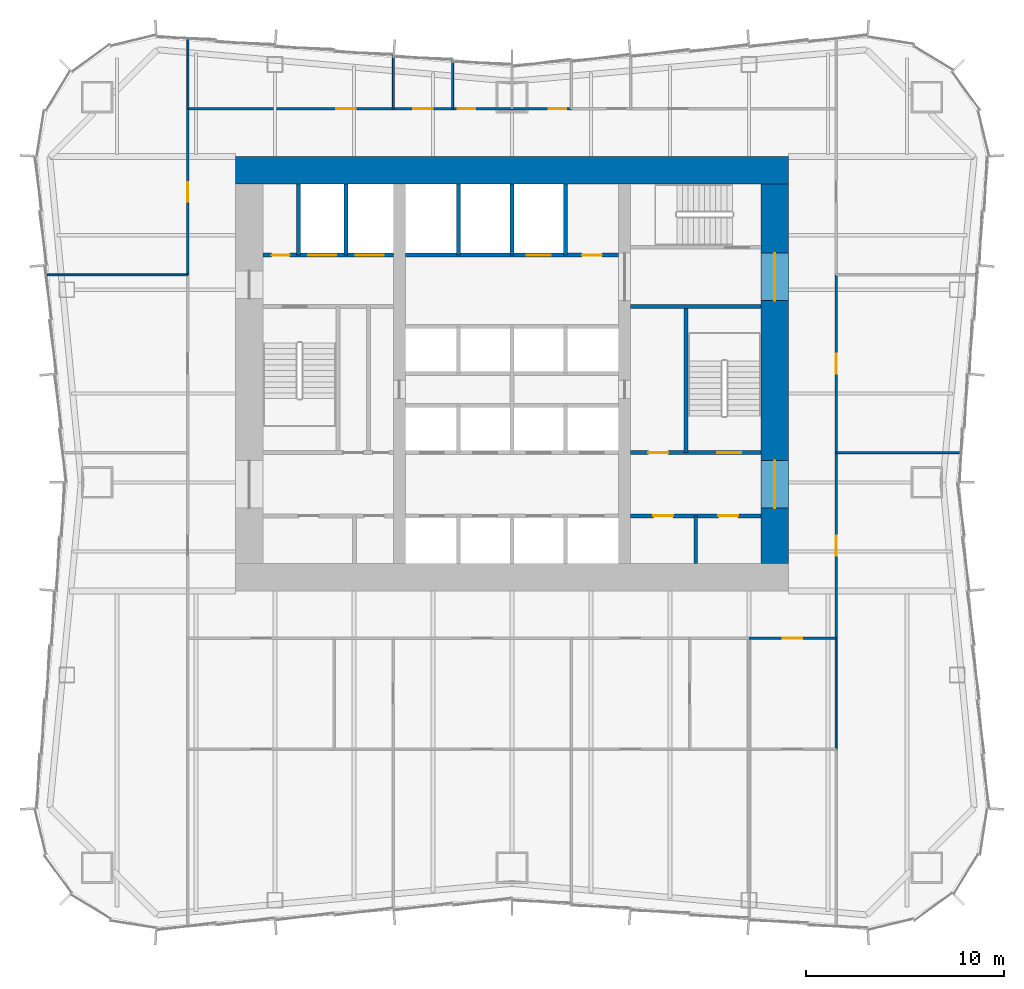
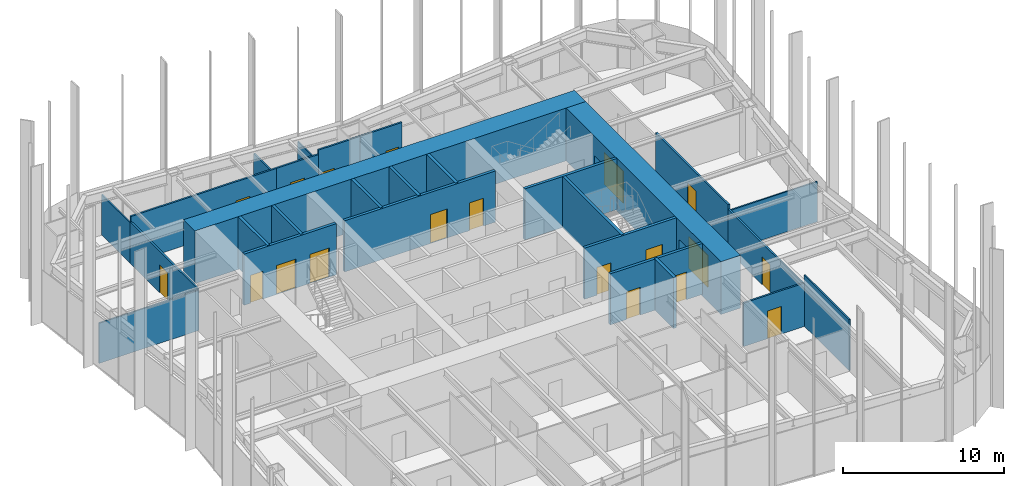
# One storey, part 11 of 13: 28 walls, 19 doors, 19 openings.
"""IFC4 building model written with IfcOpenShell, lengths in metres."""

import ifcopenshell
import ifcopenshell.guid

model = None  # the IFC model being written
_history = None  # IfcOwnerHistory: only IFC2X3 demands one
_inside = {}  # id of a spatial element -> (the spatial element, [elements in it])
_under = {}  # id of a project, library or spatial element -> (it, [spatial elements below it])
_declared = {}  # id of a project -> (the project, [libraries it declares])
_typed = {}  # id of a type object -> (the type object, [elements of that type])
_made_of = {}  # id of a material, layer set ... -> (it, [elements and type objects made of it])


def new_model(schema):
    """Start an empty IFC model of exactly this schema.

    Asked for "IFC4X3", IfcOpenShell would pick the latest addendum, in which some entities
    have other attributes; the version numbers below select the first issue.
    IFC2X3 requires an IfcOwnerHistory on every rooted entity: one is made here for all.
    """
    global model, _history
    if schema == "IFC4X3":
        model = ifcopenshell.file(schema_version=(4, 3, 0, 0))
    else:
        model = ifcopenshell.file(schema=schema)
    _inside.clear()
    _under.clear()
    _declared.clear()
    _typed.clear()
    _made_of.clear()
    _history = None
    if model.schema == "IFC2X3":
        org = make("IfcOrganization", Name="unknown")
        user = make(
            "IfcPersonAndOrganization",
            ThePerson=make("IfcPerson", FamilyName="unknown"),
            TheOrganization=org,
        )
        app = make(
            "IfcApplication",
            ApplicationDeveloper=org,
            Version="unknown",
            ApplicationFullName="unknown",
            ApplicationIdentifier="unknown",
        )
        _history = make(
            "IfcOwnerHistory",
            OwningUser=user,
            OwningApplication=app,
            ChangeAction="ADDED",
            CreationDate=0,
        )
    return model


def make(cls, **values):
    """One entity of the class cls with the attributes given. An attribute that is None is left unset."""
    return model.create_entity(
        cls, **{name: value for name, value in values.items() if value is not None}
    )


def rooted(cls, **values):
    """An entity with a GlobalId (a new one), such as an element, a storey or a relation."""
    return make(cls, GlobalId=ifcopenshell.guid.new(), OwnerHistory=_history, **values)


def si_unit(unit_type, name, prefix=None):
    """IfcSIUnit, for example si_unit("LENGTHUNIT", "METRE", prefix="MILLI")."""
    return make("IfcSIUnit", UnitType=unit_type, Prefix=prefix, Name=name)


def assignment(units):
    """IfcUnitAssignment: the units of a project."""
    return None if units is None else make("IfcUnitAssignment", Units=units)


def point(xyz):
    """IfcCartesianPoint."""
    return None if xyz is None else make("IfcCartesianPoint", Coordinates=xyz)


def direction(xyz):
    """IfcDirection."""
    return None if xyz is None else make("IfcDirection", DirectionRatios=xyz)


def frame(location, z_axis=None, x_axis=None):
    """IfcAxis2Placement3D, a coordinate frame: its origin and axes. An axis left out is left unset."""
    return make(
        "IfcAxis2Placement3D",
        Location=point(location),
        Axis=direction(z_axis),
        RefDirection=direction(x_axis),
    )


def frame_2d(location, x_axis=None):
    """IfcAxis2Placement2D, a coordinate frame in the plane: its origin and x axis."""
    return make(
        "IfcAxis2Placement2D", Location=point(location), RefDirection=direction(x_axis)
    )


def origin():
    """The frame at (0, 0, 0) with its axes left unset."""
    return frame((0.0, 0.0, 0.0))


def place(relative_to, where):
    """IfcLocalPlacement: puts the frame where relative to a parent placement (None: the world)."""
    return make(
        "IfcLocalPlacement", PlacementRelTo=relative_to, RelativePlacement=where
    )


def context(
    kind, dimensions, precision=None, world=None, true_north=None, identifier=None
):
    """IfcGeometricRepresentationContext, for example the 3D "Model" context."""
    return make(
        "IfcGeometricRepresentationContext",
        ContextIdentifier=identifier,
        ContextType=kind,
        CoordinateSpaceDimension=dimensions,
        Precision=precision,
        WorldCoordinateSystem=world,
        TrueNorth=true_north,
    )


def subcontext(parent, identifier, kind, view, scale=None):
    """IfcGeometricRepresentationSubContext, for example "Body" below "Model"."""
    return make(
        "IfcGeometricRepresentationSubContext",
        ContextIdentifier=identifier,
        ContextType=kind,
        ParentContext=parent,
        TargetScale=scale,
        TargetView=view,
    )


def project(units=None, contexts=None):
    """IfcProject with its units and contexts."""
    return rooted(
        "IfcProject",
        Name="project",
        RepresentationContexts=contexts,
        UnitsInContext=assignment(units),
    )


def spatial(cls, under=None, at=None, **own):
    """A site, building, storey or space (cls), placed at a placement, below another one or the project."""
    s = rooted(cls, ObjectPlacement=at, **own)
    if under is not None:
        _under.setdefault(under.id(), (under, []))[1].append(s)
    return s


def profile(cls, at=None, kind="AREA", **sizes):
    """A parametric profile (cls). Its sizes go by their IFC names, for example OverallWidth=200.0."""
    return make(cls, ProfileType=kind, Position=at, **sizes)


def rectangle(**sizes):
    """IfcRectangleProfileDef."""
    return profile("IfcRectangleProfileDef", **sizes)


def extrude(swept, where, along, depth):
    """IfcExtrudedAreaSolid: the profile swept, set in the frame where, extruded along a direction by depth."""
    return make(
        "IfcExtrudedAreaSolid",
        SweptArea=swept,
        Position=where,
        ExtrudedDirection=direction(along),
        Depth=depth,
    )


def shape(context_of_items, identifier, shape_type, items):
    """IfcShapeRepresentation: the items that make up one representation, for example the "Body"."""
    return make(
        "IfcShapeRepresentation",
        ContextOfItems=context_of_items,
        RepresentationIdentifier=identifier,
        RepresentationType=shape_type,
        Items=items,
    )


def material(Name=None, Category=None):
    """IfcMaterial."""
    return make("IfcMaterial", Name=Name, Category=Category)


def layer(
    of_material, thickness, ventilated=None, Name=None, Category=None, Priority=None
):
    """IfcMaterialLayer: one layer of a wall or slab, of a material (None: an air gap)."""
    return make(
        "IfcMaterialLayer",
        Material=of_material,
        LayerThickness=thickness,
        IsVentilated=ventilated,
        Name=Name,
        Category=Category,
        Priority=Priority,
    )


def layer_set(layers, Name=None):
    """IfcMaterialLayerSet."""
    return make("IfcMaterialLayerSet", MaterialLayers=layers, LayerSetName=Name)


def made_of(thing, what):
    """Note that an element or type object is made of a material, layer set ...; save() writes the relation."""
    if what is not None:
        _made_of.setdefault(what.id(), (what, []))[1].append(thing)
    return thing


def type_object(cls, material=None, **own):
    """A type object (cls), such as IfcWallType, which elements share."""
    return made_of(rooted(cls, **own), material)


def element(
    cls,
    number,
    at=None,
    inside=None,
    cuts=None,
    type_object=None,
    material=None,
    context=None,
    identifier="Body",
    shape_type=None,
    held_by="IfcProductDefinitionShape",
    body=None,
    shapes=None,
    **own,
):
    """One element of the class cls, such as IfcWall. Its Tag is "e" and its number.

    at: its placement. inside: the storey or other place that contains it. cuts: it is an
    opening in that element (IfcRelVoidsElement). A single representation is given by context,
    identifier, shape_type and body (its items); several are given by shapes. held_by: the class
    of the entity that holds the representations. save() writes the other relations.
    """
    e = rooted(cls, Tag="e%d" % number, ObjectPlacement=at, **own)
    if body is not None:
        shapes = [shape(context, identifier, shape_type, body)]
    if shapes is not None:
        e.Representation = make(held_by, Representations=shapes)
    if inside is not None:
        _inside.setdefault(inside.id(), (inside, []))[1].append(e)
    if cuts is not None:
        rooted(
            "IfcRelVoidsElement", RelatingBuildingElement=cuts, RelatedOpeningElement=e
        )
    if type_object is not None:
        _typed.setdefault(type_object.id(), (type_object, []))[1].append(e)
    return made_of(e, material)


def fill(opening, filler):
    """IfcRelFillsElement: the door or window that sits in an opening."""
    return rooted(
        "IfcRelFillsElement",
        RelatingOpeningElement=opening,
        RelatedBuildingElement=filler,
    )


def aggregate(whole, parts):
    """IfcRelAggregates: a whole, such as a stair, and the parts it consists of."""
    return rooted("IfcRelAggregates", RelatingObject=whole, RelatedObjects=parts)


def save(model, path):
    """Write the relations noted so far, then the file.

    IfcRelAggregates (storeys below a building ...), IfcRelContainedInSpatialStructure (elements
    in a storey), IfcRelDefinesByType, IfcRelAssociatesMaterial and IfcRelDeclares: one each for
    every whole, place, type object, material and project.
    """
    for whole, parts in _under.values():
        aggregate(whole, parts)
    for where, things in _inside.values():
        rooted(
            "IfcRelContainedInSpatialStructure",
            RelatedElements=things,
            RelatingStructure=where,
        )
    for kind, things in _typed.values():
        rooted("IfcRelDefinesByType", RelatedObjects=things, RelatingType=kind)
    for what, things in _made_of.values():
        rooted("IfcRelAssociatesMaterial", RelatedObjects=things, RelatingMaterial=what)
    for by, libraries in _declared.values():
        rooted("IfcRelDeclares", RelatingContext=by, RelatedDefinitions=libraries)
    model.write(path)


model = new_model("IFC4")

# Units and contexts
model_context = context("Model", 3, precision=1e-05, world=origin(), true_north=direction((0.0, 1.0)))
body_context = subcontext(model_context, "Body", "Model", "MODEL_VIEW")
ifc_project = project(units=[si_unit("LENGTHUNIT", "METRE"), si_unit("AREAUNIT", "SQUARE_METRE"), si_unit("VOLUMEUNIT", "CUBIC_METRE"), si_unit("PLANEANGLEUNIT", "RADIAN"), si_unit("MASSUNIT", "GRAM", prefix="KILO")], contexts=[model_context])

# Site, building, storey
site_placement = place(None, origin())
site = spatial("IfcSite", under=ifc_project, at=site_placement, CompositionType="ELEMENT")
building_placement = place(site_placement, origin())
building = spatial("IfcBuilding", under=site, at=building_placement, Name="Verdant Reach Tower", CompositionType="ELEMENT")
storey_placement = place(building_placement, frame((0.0, 0.0, 38.0)))
storey = spatial("IfcBuildingStorey", under=building, at=storey_placement, Name="L08", CompositionType="ELEMENT", Elevation=38.0)

# Wall, openings, doors
ifc_material_1 = material(Name="Gypsum board on steel studs", Category="steel")
ifc_layer_1 = layer(ifc_material_1, 0.199951171875)
ifc_layer_set_1 = layer_set([ifc_layer_1], Name="CO-WALL-ROOM")
wall_type_1 = type_object("IfcWallType", Name="CO-WALL-ROOM", PredefinedType="PARTITIONING", material=ifc_layer_set_1)
wall_1_placement = place(storey_placement, frame((6.0, 20.800048828125, 0.0), z_axis=(0.0, 0.0, 1.0), x_axis=(1.0, 0.0, 0.0)))
wall_1 = element("IfcWall", 1, at=wall_1_placement, inside=storey, type_object=wall_type_1, Name="Core partition, L08", PredefinedType="PARTITIONING", context=body_context, shape_type="SweptSolid", body=[
    extrude(rectangle(XDim=6.60009765625, YDim=0.199951171875, at=frame_2d((3.300048828125, 0.0))), origin(), (0.0, 0.0, 1.0), 3.8701171875),
])
opening_1_placement = place(wall_1_placement, frame((1.14990234375, 0.0, 0.0)))
opening_1 = element("IfcOpeningElement", 2, at=opening_1_placement, cuts=wall_1, Name="Opening CD", PredefinedType="OPENING", context=body_context, shape_type="SweptSolid", body=[
    extrude(rectangle(XDim=1.0, YDim=2.10009765625, at=frame_2d((0.5, 1.050048828125))), frame((0.0, 0.10986328125, 0.0), z_axis=(0.0, -1.0, 0.0), x_axis=(1.0, 0.0, 0.0)), (0.0, 0.0, 1.0), 0.219970703125),
])
opening_2_placement = place(wall_1_placement, frame((4.449951171875, 0.0, 0.0)))
opening_2 = element("IfcOpeningElement", 3, at=opening_2_placement, cuts=wall_1, Name="Opening CD", PredefinedType="OPENING", context=body_context, shape_type="SweptSolid", body=[
    extrude(rectangle(XDim=1.0, YDim=2.10009765625, at=frame_2d((0.5, 1.050048828125))), frame((0.0, 0.10986328125, 0.0), z_axis=(0.0, -1.0, 0.0), x_axis=(1.0, 0.0, 0.0)), (0.0, 0.0, 1.0), 0.219970703125),
])
ifc_material_2 = material(Name="Timber", Category="wood")
door_type_1 = type_object("IfcDoorType", Name="CO-DOOR-ROOM", OperationType="NOTDEFINED", PredefinedType="DOOR", material=ifc_material_2)
door_1_placement = place(opening_1_placement, origin())
door_1 = element("IfcDoor", 4, at=door_1_placement, inside=storey, type_object=door_type_1, Name="Core room door, L08", OperationType="SINGLE_SWING_LEFT", OverallHeight=2.10009765625, OverallWidth=1.0, PredefinedType="DOOR", context=body_context, shape_type="SweptSolid", body=[
    extrude(rectangle(XDim=1.0, YDim=2.10009765625, at=frame_2d((0.5, 1.050048828125))), frame((0.0, 0.02490234375, 0.0), z_axis=(0.0, -1.0, 0.0), x_axis=(1.0, 0.0, 0.0)), (0.0, 0.0, 1.0), 0.050048828125),
])
fill(opening_1, door_1)
door_2_placement = place(opening_2_placement, origin())
door_2 = element("IfcDoor", 5, at=door_2_placement, inside=storey, type_object=door_type_1, Name="Core room door, L08", OperationType="SINGLE_SWING_LEFT", OverallHeight=2.10009765625, OverallWidth=1.0, PredefinedType="DOOR", context=body_context, shape_type="SweptSolid", body=[
    extrude(rectangle(XDim=1.0, YDim=2.10009765625, at=frame_2d((0.5, 1.050048828125))), frame((0.0, 0.02490234375, 0.0), z_axis=(0.0, -1.0, 0.0), x_axis=(1.0, 0.0, 0.0)), (0.0, 0.0, 1.0), 0.050048828125),
])
fill(opening_2, door_2)

# Wall
wall_2_placement = place(storey_placement, frame((9.300048828125, 18.39990234375, 0.0), z_axis=(0.0, 0.0, 1.0), x_axis=(0.0, 1.0, 0.0)))
element("IfcWall", 6, at=wall_2_placement, inside=storey, type_object=wall_type_1, Name="Core partition, L08", PredefinedType="PARTITIONING", context=body_context, shape_type="SweptSolid", body=[
    extrude(rectangle(XDim=2.400146484375, YDim=0.199951171875, at=frame_2d((1.2001953125, 0.0))), origin(), (0.0, 0.0, 1.0), 3.8701171875),
])

# Wall, openings, doors
ifc_material_3 = material(Name="Concrete C40/50", Category="concrete")
ifc_layer_2 = layer(ifc_material_3, 0.199951171875)
ifc_layer_set_2 = layer_set([ifc_layer_2], Name="CO-WALL-SHAFT")
wall_type_2 = type_object("IfcWallType", Name="CO-WALL-SHAFT", PredefinedType="PARTITIONING", material=ifc_layer_set_2)
wall_3_placement = place(storey_placement, frame((-12.60009765625, 34.0, 0.0), z_axis=(0.0, 0.0, 1.0), x_axis=(1.0, 0.0, 0.0)))
wall_3 = element("IfcWall", 7, at=wall_3_placement, inside=storey, type_object=wall_type_2, Name="Lift shaft wall, L08", PredefinedType="PARTITIONING", context=body_context, shape_type="SweptSolid", body=[
    extrude(rectangle(XDim=6.60009765625, YDim=0.199951171875, at=frame_2d((3.300048828125, 0.0))), origin(), (0.0, 0.0, 1.0), 3.8701171875),
])
opening_3_placement = place(wall_3_placement, frame((4.699951171875, 0.0, 0.0)))
opening_3 = element("IfcOpeningElement", 8, at=opening_3_placement, cuts=wall_3, Name="Opening LD-F1", PredefinedType="OPENING", context=body_context, shape_type="SweptSolid", body=[
    extrude(rectangle(XDim=1.39990234375, YDim=2.199951171875, at=frame_2d((0.699951171875, 1.10009765625))), frame((0.0, 0.10986328125, 0.0), z_axis=(0.0, -1.0, 0.0), x_axis=(1.0, 0.0, 0.0)), (0.0, 0.0, 1.0), 0.219970703125),
])
opening_4_placement = place(wall_3_placement, frame((2.300048828125, 0.0, 0.0)))
opening_4 = element("IfcOpeningElement", 9, at=opening_4_placement, cuts=wall_3, Name="Opening LD-F2", PredefinedType="OPENING", context=body_context, shape_type="SweptSolid", body=[
    extrude(rectangle(XDim=1.39990234375, YDim=2.199951171875, at=frame_2d((0.699951171875, 1.10009765625))), frame((0.0, 0.10986328125, 0.0), z_axis=(0.0, -1.0, 0.0), x_axis=(1.0, 0.0, 0.0)), (0.0, 0.0, 1.0), 0.219970703125),
])
opening_5_placement = place(wall_3_placement, frame((0.449951171875, 0.0, 0.0)))
opening_5 = element("IfcOpeningElement", 10, at=opening_5_placement, cuts=wall_3, Name="Opening RD", PredefinedType="OPENING", context=body_context, shape_type="SweptSolid", body=[
    extrude(rectangle(XDim=0.89990234375, YDim=2.10009765625, at=frame_2d((0.449951171875, 1.050048828125))), frame((0.0, 0.10986328125, 0.0), z_axis=(0.0, -1.0, 0.0), x_axis=(1.0, 0.0, 0.0)), (0.0, 0.0, 1.0), 0.219970703125),
])
ifc_material_4 = material(Name="Stainless steel", Category="steel")
door_type_2 = type_object("IfcDoorType", Name="CO-DOOR-LANDING-FF", OperationType="SLIDING_TO_LEFT", PredefinedType="DOOR", material=ifc_material_4)
door_3_placement = place(opening_3_placement, origin())
door_3 = element("IfcDoor", 11, at=door_3_placement, inside=storey, type_object=door_type_2, Name="Landing door F1, L08", OperationType="SLIDING_TO_LEFT", OverallHeight=2.199951171875, OverallWidth=1.39990234375, PredefinedType="DOOR", context=body_context, shape_type="SweptSolid", body=[
    extrude(rectangle(XDim=1.39990234375, YDim=2.199951171875, at=frame_2d((0.699951171875, 1.10009765625))), frame((0.0, 0.02490234375, 0.0), z_axis=(0.0, -1.0, 0.0), x_axis=(1.0, 0.0, 0.0)), (0.0, 0.0, 1.0), 0.050048828125),
])
fill(opening_3, door_3)
door_4_placement = place(opening_4_placement, origin())
door_4 = element("IfcDoor", 12, at=door_4_placement, inside=storey, type_object=door_type_2, Name="Landing door F2, L08", OperationType="SLIDING_TO_LEFT", OverallHeight=2.199951171875, OverallWidth=1.39990234375, PredefinedType="DOOR", context=body_context, shape_type="SweptSolid", body=[
    extrude(rectangle(XDim=1.39990234375, YDim=2.199951171875, at=frame_2d((0.699951171875, 1.10009765625))), frame((0.0, 0.02490234375, 0.0), z_axis=(0.0, -1.0, 0.0), x_axis=(1.0, 0.0, 0.0)), (0.0, 0.0, 1.0), 0.050048828125),
])
fill(opening_4, door_4)
ifc_material_5 = material(Name="Steel", Category="steel")
door_type_3 = type_object("IfcDoorType", Name="CO-DOOR-RISER", OperationType="NOTDEFINED", PredefinedType="DOOR", material=ifc_material_5)
door_5_placement = place(opening_5_placement, origin())
door_5 = element("IfcDoor", 13, at=door_5_placement, inside=storey, type_object=door_type_3, Name="Core room door, L08", OperationType="SINGLE_SWING_RIGHT", OverallHeight=2.10009765625, OverallWidth=0.89990234375, PredefinedType="DOOR", context=body_context, shape_type="SweptSolid", body=[
    extrude(rectangle(XDim=0.89990234375, YDim=2.10009765625, at=frame_2d((0.449951171875, 1.050048828125))), frame((0.0, 0.02490234375, 0.0), z_axis=(0.0, -1.0, 0.0), x_axis=(1.0, 0.0, 0.0)), (0.0, 0.0, 1.0), 0.050048828125),
])
fill(opening_5, door_5)

wall_4_placement = place(storey_placement, frame((-5.39990234375, 34.0, 0.0), z_axis=(0.0, 0.0, 1.0), x_axis=(1.0, 0.0, 0.0)))
wall_4 = element("IfcWall", 14, at=wall_4_placement, inside=storey, type_object=wall_type_2, Name="Lift shaft wall, L08", PredefinedType="PARTITIONING", context=body_context, shape_type="SweptSolid", body=[
    extrude(rectangle(XDim=10.7998046875, YDim=0.199951171875, at=frame_2d((5.39990234375, 0.0))), origin(), (0.0, 0.0, 1.0), 3.8701171875),
])
opening_6_placement = place(wall_4_placement, frame((6.14990234375, 0.0, 0.0)))
opening_6 = element("IfcOpeningElement", 15, at=opening_6_placement, cuts=wall_4, Name="Opening LD-SL1", PredefinedType="OPENING", context=body_context, shape_type="SweptSolid", body=[
    extrude(rectangle(XDim=1.199951171875, YDim=2.199951171875, at=frame_2d((0.60009765625, 1.10009765625))), frame((0.0, 0.10986328125, 0.0), z_axis=(0.0, -1.0, 0.0), x_axis=(1.0, 0.0, 0.0)), (0.0, 0.0, 1.0), 0.219970703125),
])
opening_7_placement = place(wall_4_placement, frame((8.949951171875, 0.0, 0.0)))
opening_7 = element("IfcOpeningElement", 16, at=opening_7_placement, cuts=wall_4, Name="Opening CD", PredefinedType="OPENING", context=body_context, shape_type="SweptSolid", body=[
    extrude(rectangle(XDim=1.0, YDim=2.10009765625, at=frame_2d((0.5, 1.050048828125))), frame((0.0, 0.10986328125, 0.0), z_axis=(0.0, -1.0, 0.0), x_axis=(1.0, 0.0, 0.0)), (0.0, 0.0, 1.0), 0.219970703125),
])
door_type_4 = type_object("IfcDoorType", Name="CO-DOOR-LANDING", OperationType="SLIDING_TO_LEFT", PredefinedType="DOOR", material=ifc_material_4)
door_6_placement = place(opening_6_placement, origin())
door_6 = element("IfcDoor", 17, at=door_6_placement, inside=storey, type_object=door_type_4, Name="Landing door SL1, L08", OperationType="SLIDING_TO_LEFT", OverallHeight=2.199951171875, OverallWidth=1.199951171875, PredefinedType="DOOR", context=body_context, shape_type="SweptSolid", body=[
    extrude(rectangle(XDim=1.199951171875, YDim=2.199951171875, at=frame_2d((0.60009765625, 1.10009765625))), frame((0.0, 0.02490234375, 0.0), z_axis=(0.0, -1.0, 0.0), x_axis=(1.0, 0.0, 0.0)), (0.0, 0.0, 1.0), 0.050048828125),
])
fill(opening_6, door_6)
door_7_placement = place(opening_7_placement, origin())
door_7 = element("IfcDoor", 18, at=door_7_placement, inside=storey, type_object=door_type_1, Name="Core room door, L08", OperationType="SINGLE_SWING_LEFT", OverallHeight=2.10009765625, OverallWidth=1.0, PredefinedType="DOOR", context=body_context, shape_type="SweptSolid", body=[
    extrude(rectangle(XDim=1.0, YDim=2.10009765625, at=frame_2d((0.5, 1.050048828125))), frame((0.0, 0.02490234375, 0.0), z_axis=(0.0, -1.0, 0.0), x_axis=(1.0, 0.0, 0.0)), (0.0, 0.0, 1.0), 0.050048828125),
])
fill(opening_7, door_7)

# Walls
for number, where, z_axis, x_axis, name in (
    (19, (-10.800048828125, 34.0, 0.0), (0.0, 0.0, 1.0), (0.0, 1.0, 0.0), "Lift shaft wall, L08"),
    (20, (-8.39990234375, 34.0, 0.0), (0.0, 0.0, 1.0), (0.0, 1.0, 0.0), "Lift shaft wall, L08"),
    (21, (-2.699951171875, 34.0, 0.0), (0.0, 0.0, 1.0), (0.0, 1.0, 0.0), "Lift shaft wall, L08"),
    (22, (0.0, 34.0, 0.0), (0.0, 0.0, 1.0), (0.0, 1.0, 0.0), "Lift shaft wall, L08"),
    (23, (2.699951171875, 34.0, 0.0), (0.0, 0.0, 1.0), (0.0, 1.0, 0.0), "Lift shaft wall, L08"),
):
    element("IfcWall", number, at=place(storey_placement, frame(where, z_axis=z_axis, x_axis=x_axis)), inside=storey, type_object=wall_type_2, Name=name, PredefinedType="PARTITIONING", context=body_context, shape_type="SweptSolid", body=[
        extrude(rectangle(XDim=3.60009765625, YDim=0.199951171875, at=frame_2d((1.800048828125, 0.0))), origin(), (0.0, 0.0, 1.0), 3.8701171875),
    ])

# Wall, openings, doors
ifc_layer_3 = layer(ifc_material_3, 0.199951171875)
ifc_layer_set_3 = layer_set([ifc_layer_3], Name="CO-WALL-STAIR")
wall_type_3 = type_object("IfcWallType", Name="CO-WALL-STAIR", PredefinedType="PARTITIONING", material=ifc_layer_set_3)
wall_5_placement = place(storey_placement, frame((6.0, 24.0, 0.0), z_axis=(0.0, 0.0, 1.0), x_axis=(1.0, 0.0, 0.0)))
wall_5 = element("IfcWall", 24, at=wall_5_placement, inside=storey, type_object=wall_type_3, Name="Stair enclosure wall, L08", PredefinedType="PARTITIONING", context=body_context, shape_type="SweptSolid", body=[
    extrude(rectangle(XDim=6.60009765625, YDim=0.199951171875, at=frame_2d((3.300048828125, 0.0))), origin(), (0.0, 0.0, 1.0), 3.8701171875),
])
opening_8_placement = place(wall_5_placement, frame((0.89990234375, 0.0, 0.0)))
opening_8 = element("IfcOpeningElement", 25, at=opening_8_placement, cuts=wall_5, Name="Opening CD", PredefinedType="OPENING", context=body_context, shape_type="SweptSolid", body=[
    extrude(rectangle(XDim=1.0, YDim=2.10009765625, at=frame_2d((0.5, 1.050048828125))), frame((0.0, 0.10986328125, 0.0), z_axis=(0.0, -1.0, 0.0), x_axis=(1.0, 0.0, 0.0)), (0.0, 0.0, 1.0), 0.219970703125),
])
opening_9_placement = place(wall_5_placement, frame((4.39990234375, 0.0, 0.0)))
opening_9 = element("IfcOpeningElement", 26, at=opening_9_placement, cuts=wall_5, Name="Opening SD", PredefinedType="OPENING", context=body_context, shape_type="SweptSolid", body=[
    extrude(rectangle(XDim=1.199951171875, YDim=2.199951171875, at=frame_2d((0.60009765625, 1.10009765625))), frame((0.0, 0.10986328125, 0.0), z_axis=(0.0, -1.0, 0.0), x_axis=(1.0, 0.0, 0.0)), (0.0, 0.0, 1.0), 0.219970703125),
])
door_8_placement = place(opening_8_placement, origin())
door_8 = element("IfcDoor", 27, at=door_8_placement, inside=storey, type_object=door_type_1, Name="Core room door, L08", OperationType="SINGLE_SWING_RIGHT", OverallHeight=2.10009765625, OverallWidth=1.0, PredefinedType="DOOR", context=body_context, shape_type="SweptSolid", body=[
    extrude(rectangle(XDim=1.0, YDim=2.10009765625, at=frame_2d((0.5, 1.050048828125))), frame((0.0, 0.02490234375, 0.0), z_axis=(0.0, -1.0, 0.0), x_axis=(1.0, 0.0, 0.0)), (0.0, 0.0, 1.0), 0.050048828125),
])
fill(opening_8, door_8)
door_type_5 = type_object("IfcDoorType", Name="CO-DOOR-STAIR", OperationType="NOTDEFINED", PredefinedType="DOOR", material=ifc_material_5)
door_9_placement = place(opening_9_placement, origin())
door_9 = element("IfcDoor", 28, at=door_9_placement, inside=storey, type_object=door_type_5, Name="Stair door, L08", OperationType="SINGLE_SWING_LEFT", OverallHeight=2.199951171875, OverallWidth=1.199951171875, PredefinedType="DOOR", context=body_context, shape_type="SweptSolid", body=[
    extrude(rectangle(XDim=1.199951171875, YDim=2.199951171875, at=frame_2d((0.60009765625, 1.10009765625))), frame((0.0, 0.02490234375, 0.0), z_axis=(0.0, -1.0, 0.0), x_axis=(1.0, 0.0, 0.0)), (0.0, 0.0, 1.0), 0.050048828125),
])
fill(opening_9, door_9)

# Walls
wall_6_placement = place(storey_placement, frame((6.0, 31.39990234375, 0.0), z_axis=(0.0, 0.0, 1.0), x_axis=(1.0, 0.0, 0.0)))
element("IfcWall", 29, at=wall_6_placement, inside=storey, type_object=wall_type_3, Name="Stair enclosure wall, L08", PredefinedType="PARTITIONING", context=body_context, shape_type="SweptSolid", body=[
    extrude(rectangle(XDim=6.60009765625, YDim=0.199951171875, at=frame_2d((3.300048828125, 0.0))), origin(), (0.0, 0.0, 1.0), 3.8701171875),
])
wall_7_placement = place(storey_placement, frame((8.800048828125, 24.0, 0.0), z_axis=(0.0, 0.0, 1.0), x_axis=(0.0, 1.0, 0.0)))
element("IfcWall", 30, at=wall_7_placement, inside=storey, type_object=wall_type_3, Name="Stair enclosure wall, L08", PredefinedType="PARTITIONING", context=body_context, shape_type="SweptSolid", body=[
    extrude(rectangle(XDim=7.39990234375, YDim=0.199951171875, at=frame_2d((3.699951171875, 0.0))), origin(), (0.0, 0.0, 1.0), 3.8701171875),
])
ifc_layer_4 = layer(ifc_material_1, 0.10009765625)
ifc_layer_set_4 = layer_set([ifc_layer_4], Name="FL-W1 Partition 100")
wall_type_4 = type_object("IfcWallType", Name="FL-W1 Partition 100", PredefinedType="PARTITIONING", material=ifc_layer_set_4)
wall_8_placement = place(storey_placement, frame((16.39990234375, 8.99609375, 0.0), z_axis=(0.0, 0.0, 1.0), x_axis=(0.0, 1.0, 0.0)))
element("IfcWall", 31, at=wall_8_placement, inside=storey, type_object=wall_type_4, Name="Partition 08.34", PredefinedType="PARTITIONING", context=body_context, shape_type="SweptSolid", body=[
    extrude(rectangle(XDim=5.60791015625, YDim=0.10009765625, at=frame_2d((2.803955078125, 0.0))), origin(), (0.0, 0.0, 1.0), 3.8701171875),
])
wall_9_placement = place(storey_placement, frame((-6.0, 41.39990234375, 0.0), z_axis=(0.0, 0.0, 1.0), x_axis=(0.0, 1.0, 0.0)))
element("IfcWall", 32, at=wall_9_placement, inside=storey, type_object=wall_type_4, Name="Partition 08.37", PredefinedType="PARTITIONING", context=body_context, shape_type="SweptSolid", body=[
    extrude(rectangle(XDim=2.68017578125, YDim=0.10009765625, at=frame_2d((1.340087890625, 0.0))), origin(), (0.0, 0.0, 1.0), 3.0400390625),
])
wall_10_placement = place(storey_placement, frame((-16.39990234375, 44.94677734375, 0.0), z_axis=(0.0, 0.0, 1.0), x_axis=(0.0, -1.0, 0.0)))
element("IfcWall", 33, at=wall_10_placement, inside=storey, type_object=wall_type_4, Name="Partition 08.38", PredefinedType="PARTITIONING", context=body_context, shape_type="SweptSolid", body=[
    extrude(rectangle(XDim=3.55078125, YDim=0.10009765625, at=frame_2d((1.775390625, 0.0))), origin(), (0.0, 0.0, 1.0), 3.0400390625),
])
wall_11_placement = place(storey_placement, frame((-3.0, 41.39990234375, 0.0), z_axis=(0.0, 0.0, 1.0), x_axis=(0.0, 1.0, 0.0)))
element("IfcWall", 34, at=wall_11_placement, inside=storey, type_object=wall_type_4, Name="Partition 08.39", PredefinedType="PARTITIONING", context=body_context, shape_type="SweptSolid", body=[
    extrude(rectangle(XDim=2.43017578125, YDim=0.10009765625, at=frame_2d((1.215087890625, 0.0))), origin(), (0.0, 0.0, 1.0), 3.0400390625),
])
wall_12_placement = place(storey_placement, frame((-16.39990234375, 33.0, 0.0), z_axis=(0.0, 0.0, 1.0), x_axis=(-1.0, 0.0, 0.0)))
element("IfcWall", 35, at=wall_12_placement, inside=storey, type_object=wall_type_4, Name="Partition 08.45", PredefinedType="PARTITIONING", context=body_context, shape_type="SweptSolid", body=[
    extrude(rectangle(XDim=7.134521484375, YDim=0.10009765625, at=frame_2d((3.5673828125, 0.0))), origin(), (0.0, 0.0, 1.0), 3.0400390625),
])
wall_13_placement = place(storey_placement, frame((22.71630859375, 24.0, 0.0), z_axis=(0.0, 0.0, 1.0), x_axis=(-1.0, 0.0, 0.0)))
element("IfcWall", 36, at=wall_13_placement, inside=storey, type_object=wall_type_4, Name="Partition 08.46", PredefinedType="PARTITIONING", context=body_context, shape_type="SweptSolid", body=[
    extrude(rectangle(XDim=6.31640625, YDim=0.10009765625, at=frame_2d((3.158203125, 0.0))), origin(), (0.0, 0.0, 1.0), 3.0400390625),
])

# Wall, opening, door
ifc_material_6 = material(Name="Gypsum board on steel studs, fire rated", Category="steel")
ifc_layer_5 = layer(ifc_material_6, 0.125)
ifc_layer_set_5 = layer_set([ifc_layer_5], Name="FL-W2 Corridor wall 125")
wall_type_5 = type_object("IfcWallType", Name="FL-W2 Corridor wall 125", PredefinedType="PARTITIONING", material=ifc_layer_set_5)
wall_14_placement = place(storey_placement, frame((16.39990234375, 14.60009765625, 0.0), z_axis=(0.0, 0.0, 1.0), x_axis=(-1.0, 0.0, 0.0)))
wall_14 = element("IfcWall", 37, at=wall_14_placement, inside=storey, type_object=wall_type_5, Name="Partition 08.06", PredefinedType="PARTITIONING", context=body_context, shape_type="SweptSolid", body=[
    extrude(rectangle(XDim=4.39990234375, YDim=0.125, at=frame_2d((2.199951171875, 0.0))), origin(), (0.0, 0.0, 1.0), 3.2900390625),
])
opening_10_placement = place(wall_14_placement, frame((1.699951171875, 0.0, 0.0)))
opening_10 = element("IfcOpeningElement", 38, at=opening_10_placement, cuts=wall_14, Name="Opening D2", PredefinedType="OPENING", context=body_context, shape_type="SweptSolid", body=[
    extrude(rectangle(XDim=1.0, YDim=2.10009765625, at=frame_2d((0.5, 1.050048828125))), frame((0.0, 0.072509765625, 0.0), z_axis=(0.0, -1.0, 0.0), x_axis=(1.0, 0.0, 0.0)), (0.0, 0.0, 1.0), 0.14501953125),
])
ifc_material_7 = material(Name="Timber door leaf, fire rated", Category="wood")
door_type_6 = type_object("IfcDoorType", Name="FL-D2 Entrance door 1000x2100 FD30", OperationType="NOTDEFINED", PredefinedType="DOOR", material=ifc_material_7)
door_10_placement = place(opening_10_placement, origin())
door_10 = element("IfcDoor", 39, at=door_10_placement, inside=storey, type_object=door_type_6, Name="Door 08-004", OperationType="SINGLE_SWING_RIGHT", OverallHeight=2.10009765625, OverallWidth=1.0, PredefinedType="DOOR", context=body_context, shape_type="SweptSolid", body=[
    extrude(rectangle(XDim=1.0, YDim=2.10009765625, at=frame_2d((0.5, 1.050048828125))), frame((0.0, 0.02490234375, 0.0), z_axis=(0.0, -1.0, 0.0), x_axis=(1.0, 0.0, 0.0)), (0.0, 0.0, 1.0), 0.050048828125),
])
fill(opening_10, door_10)

wall_15_placement = place(storey_placement, frame((-16.39990234375, 41.39990234375, 0.0), z_axis=(0.0, 0.0, 1.0), x_axis=(1.0, 0.0, 0.0)))
wall_15 = element("IfcWall", 40, at=wall_15_placement, inside=storey, type_object=wall_type_5, Name="Partition 08.07", PredefinedType="PARTITIONING", context=body_context, shape_type="SweptSolid", body=[
    extrude(rectangle(XDim=10.39990234375, YDim=0.125, at=frame_2d((5.199951171875, 0.0))), origin(), (0.0, 0.0, 1.0), 3.5400390625),
])
opening_11_placement = place(wall_15_placement, frame((7.5, 0.0, 0.0)))
opening_11 = element("IfcOpeningElement", 41, at=opening_11_placement, cuts=wall_15, Name="Opening D2", PredefinedType="OPENING", context=body_context, shape_type="SweptSolid", body=[
    extrude(rectangle(XDim=1.0, YDim=2.10009765625, at=frame_2d((0.5, 1.050048828125))), frame((0.0, 0.072509765625, 0.0), z_axis=(0.0, -1.0, 0.0), x_axis=(1.0, 0.0, 0.0)), (0.0, 0.0, 1.0), 0.14501953125),
])
door_11_placement = place(opening_11_placement, origin())
door_11 = element("IfcDoor", 42, at=door_11_placement, inside=storey, type_object=door_type_6, Name="Door 08-005", OperationType="SINGLE_SWING_RIGHT", OverallHeight=2.10009765625, OverallWidth=1.0, PredefinedType="DOOR", context=body_context, shape_type="SweptSolid", body=[
    extrude(rectangle(XDim=1.0, YDim=2.10009765625, at=frame_2d((0.5, 1.050048828125))), frame((0.0, 0.02490234375, 0.0), z_axis=(0.0, -1.0, 0.0), x_axis=(1.0, 0.0, 0.0)), (0.0, 0.0, 1.0), 0.050048828125),
])
fill(opening_11, door_11)

wall_16_placement = place(storey_placement, frame((-6.0, 41.39990234375, 0.0), z_axis=(0.0, 0.0, 1.0), x_axis=(1.0, 0.0, 0.0)))
wall_16 = element("IfcWall", 43, at=wall_16_placement, inside=storey, type_object=wall_type_5, Name="Partition 08.08", PredefinedType="PARTITIONING", context=body_context, shape_type="SweptSolid", body=[
    extrude(rectangle(XDim=3.0, YDim=0.125, at=frame_2d((1.5, 0.0))), origin(), (0.0, 0.0, 1.0), 3.5400390625),
])
opening_12_placement = place(wall_16_placement, frame((1.0, 0.0, 0.0)))
opening_12 = element("IfcOpeningElement", 44, at=opening_12_placement, cuts=wall_16, Name="Opening D2", PredefinedType="OPENING", context=body_context, shape_type="SweptSolid", body=[
    extrude(rectangle(XDim=1.0, YDim=2.10009765625, at=frame_2d((0.5, 1.050048828125))), frame((0.0, 0.072509765625, 0.0), z_axis=(0.0, -1.0, 0.0), x_axis=(1.0, 0.0, 0.0)), (0.0, 0.0, 1.0), 0.14501953125),
])
door_12_placement = place(opening_12_placement, origin())
door_12 = element("IfcDoor", 45, at=door_12_placement, inside=storey, type_object=door_type_6, Name="Door 08-006", OperationType="SINGLE_SWING_RIGHT", OverallHeight=2.10009765625, OverallWidth=1.0, PredefinedType="DOOR", context=body_context, shape_type="SweptSolid", body=[
    extrude(rectangle(XDim=1.0, YDim=2.10009765625, at=frame_2d((0.5, 1.050048828125))), frame((0.0, 0.02490234375, 0.0), z_axis=(0.0, -1.0, 0.0), x_axis=(1.0, 0.0, 0.0)), (0.0, 0.0, 1.0), 0.050048828125),
])
fill(opening_12, door_12)

wall_17_placement = place(storey_placement, frame((-3.0, 41.39990234375, 0.0), z_axis=(0.0, 0.0, 1.0), x_axis=(1.0, 0.0, 0.0)))
wall_17 = element("IfcWall", 46, at=wall_17_placement, inside=storey, type_object=wall_type_5, Name="Partition 08.09", PredefinedType="PARTITIONING", context=body_context, shape_type="SweptSolid", body=[
    extrude(rectangle(XDim=3.0, YDim=0.125, at=frame_2d((1.5, 0.0))), origin(), (0.0, 0.0, 1.0), 3.8701171875),
])
opening_13_placement = place(wall_17_placement, frame((0.25, 0.0, 0.0)))
opening_13 = element("IfcOpeningElement", 47, at=opening_13_placement, cuts=wall_17, Name="Opening D1", PredefinedType="OPENING", context=body_context, shape_type="SweptSolid", body=[
    extrude(rectangle(XDim=0.89990234375, YDim=2.10009765625, at=frame_2d((0.449951171875, 1.050048828125))), frame((0.0, 0.072509765625, 0.0), z_axis=(0.0, -1.0, 0.0), x_axis=(1.0, 0.0, 0.0)), (0.0, 0.0, 1.0), 0.14501953125),
])
ifc_material_8 = material(Name="Painted timber door leaf", Category="wood")
door_type_7 = type_object("IfcDoorType", Name="FL-D1 Door 900x2100", OperationType="NOTDEFINED", PredefinedType="DOOR", material=ifc_material_8)
door_13_placement = place(opening_13_placement, origin())
door_13 = element("IfcDoor", 48, at=door_13_placement, inside=storey, type_object=door_type_7, Name="Door 08-007", OperationType="SINGLE_SWING_LEFT", OverallHeight=2.10009765625, OverallWidth=0.89990234375, PredefinedType="DOOR", context=body_context, shape_type="SweptSolid", body=[
    extrude(rectangle(XDim=0.89990234375, YDim=2.10009765625, at=frame_2d((0.449951171875, 1.050048828125))), frame((0.0, 0.02490234375, 0.0), z_axis=(0.0, -1.0, 0.0), x_axis=(1.0, 0.0, 0.0)), (0.0, 0.0, 1.0), 0.050048828125),
])
fill(opening_13, door_13)

wall_18_placement = place(storey_placement, frame((0.0, 41.39990234375, 0.0), z_axis=(0.0, 0.0, 1.0), x_axis=(1.0, 0.0, 0.0)))
wall_18 = element("IfcWall", 49, at=wall_18_placement, inside=storey, type_object=wall_type_5, Name="Partition 08.10", PredefinedType="PARTITIONING", context=body_context, shape_type="SweptSolid", body=[
    extrude(rectangle(XDim=3.0, YDim=0.125, at=frame_2d((1.5, 0.0))), origin(), (0.0, 0.0, 1.0), 3.8701171875),
])
opening_14_placement = place(wall_18_placement, frame((1.85009765625, 0.0, 0.0)))
opening_14 = element("IfcOpeningElement", 50, at=opening_14_placement, cuts=wall_18, Name="Opening D1", PredefinedType="OPENING", context=body_context, shape_type="SweptSolid", body=[
    extrude(rectangle(XDim=0.89990234375, YDim=2.10009765625, at=frame_2d((0.449951171875, 1.050048828125))), frame((0.0, 0.072509765625, 0.0), z_axis=(0.0, -1.0, 0.0), x_axis=(1.0, 0.0, 0.0)), (0.0, 0.0, 1.0), 0.14501953125),
])
door_14_placement = place(opening_14_placement, origin())
door_14 = element("IfcDoor", 51, at=door_14_placement, inside=storey, type_object=door_type_7, Name="Door 08-008", OperationType="SINGLE_SWING_RIGHT", OverallHeight=2.10009765625, OverallWidth=0.89990234375, PredefinedType="DOOR", context=body_context, shape_type="SweptSolid", body=[
    extrude(rectangle(XDim=0.89990234375, YDim=2.10009765625, at=frame_2d((0.449951171875, 1.050048828125))), frame((0.0, 0.02490234375, 0.0), z_axis=(0.0, -1.0, 0.0), x_axis=(1.0, 0.0, 0.0)), (0.0, 0.0, 1.0), 0.050048828125),
])
fill(opening_14, door_14)

wall_19_placement = place(storey_placement, frame((-16.39990234375, 33.0, 0.0), z_axis=(0.0, 0.0, 1.0), x_axis=(0.0, 1.0, 0.0)))
wall_19 = element("IfcWall", 52, at=wall_19_placement, inside=storey, type_object=wall_type_5, Name="Partition 08.15", PredefinedType="PARTITIONING", context=body_context, shape_type="SweptSolid", body=[
    extrude(rectangle(XDim=8.404052734375, YDim=0.125, at=frame_2d((4.2021484375, 0.0))), origin(), (0.0, 0.0, 1.0), 3.139892578125),
])
opening_15_placement = place(wall_19_placement, frame((3.701904296875, 0.0, 0.0)))
opening_15 = element("IfcOpeningElement", 53, at=opening_15_placement, cuts=wall_19, Name="Opening D2", PredefinedType="OPENING", context=body_context, shape_type="SweptSolid", body=[
    extrude(rectangle(XDim=1.0, YDim=2.10009765625, at=frame_2d((0.5, 1.050048828125))), frame((0.0, 0.072509765625, 0.0), z_axis=(0.0, -1.0, 0.0), x_axis=(1.0, 0.0, 0.0)), (0.0, 0.0, 1.0), 0.14501953125),
])
door_15_placement = place(opening_15_placement, origin())
door_15 = element("IfcDoor", 54, at=door_15_placement, inside=storey, type_object=door_type_6, Name="Door 08-013", OperationType="SINGLE_SWING_LEFT", OverallHeight=2.10009765625, OverallWidth=1.0, PredefinedType="DOOR", context=body_context, shape_type="SweptSolid", body=[
    extrude(rectangle(XDim=1.0, YDim=2.10009765625, at=frame_2d((0.5, 1.050048828125))), frame((0.0, 0.02490234375, 0.0), z_axis=(0.0, -1.0, 0.0), x_axis=(1.0, 0.0, 0.0)), (0.0, 0.0, 1.0), 0.050048828125),
])
fill(opening_15, door_15)

wall_20_placement = place(storey_placement, frame((16.39990234375, 24.0, 0.0), z_axis=(0.0, 0.0, 1.0), x_axis=(0.0, -1.0, 0.0)))
wall_20 = element("IfcWall", 55, at=wall_20_placement, inside=storey, type_object=wall_type_5, Name="Partition 08.16", PredefinedType="PARTITIONING", context=body_context, shape_type="SweptSolid", body=[
    extrude(rectangle(XDim=9.404052734375, YDim=0.125, at=frame_2d((4.7021484375, 0.0))), origin(), (0.0, 0.0, 1.0), 3.139892578125),
])
opening_16_placement = place(wall_20_placement, frame((4.201904296875, 0.0, 0.0)))
opening_16 = element("IfcOpeningElement", 56, at=opening_16_placement, cuts=wall_20, Name="Opening D2", PredefinedType="OPENING", context=body_context, shape_type="SweptSolid", body=[
    extrude(rectangle(XDim=1.0, YDim=2.10009765625, at=frame_2d((0.5, 1.050048828125))), frame((0.0, 0.072509765625, 0.0), z_axis=(0.0, -1.0, 0.0), x_axis=(1.0, 0.0, 0.0)), (0.0, 0.0, 1.0), 0.14501953125),
])
door_16_placement = place(opening_16_placement, origin())
door_16 = element("IfcDoor", 57, at=door_16_placement, inside=storey, type_object=door_type_6, Name="Door 08-014", OperationType="SINGLE_SWING_RIGHT", OverallHeight=2.10009765625, OverallWidth=1.0, PredefinedType="DOOR", context=body_context, shape_type="SweptSolid", body=[
    extrude(rectangle(XDim=1.0, YDim=2.10009765625, at=frame_2d((0.5, 1.050048828125))), frame((0.0, 0.02490234375, 0.0), z_axis=(0.0, -1.0, 0.0), x_axis=(1.0, 0.0, 0.0)), (0.0, 0.0, 1.0), 0.050048828125),
])
fill(opening_16, door_16)

wall_21_placement = place(storey_placement, frame((16.39990234375, 33.0, 0.0), z_axis=(0.0, 0.0, 1.0), x_axis=(0.0, -1.0, 0.0)))
wall_21 = element("IfcWall", 58, at=wall_21_placement, inside=storey, type_object=wall_type_5, Name="Partition 08.17", PredefinedType="PARTITIONING", context=body_context, shape_type="SweptSolid", body=[
    extrude(rectangle(XDim=9.0, YDim=0.125, at=frame_2d((4.5, 0.0))), origin(), (0.0, 0.0, 1.0), 3.47998046875),
])
opening_17_placement = place(wall_21_placement, frame((4.0, 0.0, 0.0)))
opening_17 = element("IfcOpeningElement", 59, at=opening_17_placement, cuts=wall_21, Name="Opening D2", PredefinedType="OPENING", context=body_context, shape_type="SweptSolid", body=[
    extrude(rectangle(XDim=1.0, YDim=2.10009765625, at=frame_2d((0.5, 1.050048828125))), frame((0.0, 0.072509765625, 0.0), z_axis=(0.0, -1.0, 0.0), x_axis=(1.0, 0.0, 0.0)), (0.0, 0.0, 1.0), 0.14501953125),
])
door_17_placement = place(opening_17_placement, origin())
door_17 = element("IfcDoor", 60, at=door_17_placement, inside=storey, type_object=door_type_6, Name="Door 08-015", OperationType="SINGLE_SWING_LEFT", OverallHeight=2.10009765625, OverallWidth=1.0, PredefinedType="DOOR", context=body_context, shape_type="SweptSolid", body=[
    extrude(rectangle(XDim=1.0, YDim=2.10009765625, at=frame_2d((0.5, 1.050048828125))), frame((0.0, 0.02490234375, 0.0), z_axis=(0.0, -1.0, 0.0), x_axis=(1.0, 0.0, 0.0)), (0.0, 0.0, 1.0), 0.050048828125),
])
fill(opening_17, door_17)

# Wall
ifc_material_9 = material(Name="Concrete C70/85", Category="concrete")
ifc_layer_6 = layer(ifc_material_9, 1.39990234375)
ifc_layer_set_6 = layer_set([ifc_layer_6], Name="ST-CORE-WALL-1400")
wall_type_6 = type_object("IfcWallType", Name="ST-CORE-WALL-1400", PredefinedType="SHEAR", material=ifc_layer_set_6)
wall_22_placement = place(storey_placement, frame((-14.0, 38.300048828125, -0.1298828125), z_axis=(0.0, 0.0, 1.0), x_axis=(1.0, 0.0, 0.0)))
element("IfcWall", 61, at=wall_22_placement, inside=storey, type_object=wall_type_6, Name="Core wall N, L08", PredefinedType="SHEAR", context=body_context, shape_type="SweptSolid", body=[
    extrude(rectangle(XDim=28.0, YDim=1.39990234375, at=frame_2d((14.0, 0.0))), origin(), (0.0, 0.0, 1.0), 4.0),
])

# Wall, openings, doors
wall_23_placement = place(storey_placement, frame((13.300048828125, 18.39990234375, -0.1298828125), z_axis=(0.0, 0.0, 1.0), x_axis=(0.0, 1.0, 0.0)))
wall_23 = element("IfcWall", 62, at=wall_23_placement, inside=storey, type_object=wall_type_6, Name="Core wall E, L08", PredefinedType="SHEAR", context=body_context, shape_type="SweptSolid", body=[
    extrude(rectangle(XDim=19.2001953125, YDim=1.39990234375, at=frame_2d((9.60009765625, 0.0))), origin(), (0.0, 0.0, 1.0), 4.0),
])
opening_18_placement = place(wall_23_placement, frame((2.800048828125, 0.0, 0.1298828125)))
opening_18 = element("IfcOpeningElement", 63, at=opening_18_placement, cuts=wall_23, Name="Opening LB", PredefinedType="OPENING", context=body_context, shape_type="SweptSolid", body=[
    extrude(rectangle(XDim=2.39990234375, YDim=2.39990234375, at=frame_2d((1.199951171875, 1.199951171875))), frame((0.0, 0.7099609375, 0.0), z_axis=(0.0, -1.0, 0.0), x_axis=(1.0, 0.0, 0.0)), (0.0, 0.0, 1.0), 1.419921875),
])
opening_19_placement = place(wall_23_placement, frame((13.300048828125, 0.0, 0.1298828125)))
opening_19 = element("IfcOpeningElement", 64, at=opening_19_placement, cuts=wall_23, Name="Opening LB", PredefinedType="OPENING", context=body_context, shape_type="SweptSolid", body=[
    extrude(rectangle(XDim=2.39990234375, YDim=2.39990234375, at=frame_2d((1.199951171875, 1.199951171875))), frame((0.0, 0.7099609375, 0.0), z_axis=(0.0, -1.0, 0.0), x_axis=(1.0, 0.0, 0.0)), (0.0, 0.0, 1.0), 1.419921875),
])
ifc_material_10 = material(Name="Glass and steel", Category="steel")
door_type_8 = type_object("IfcDoorType", Name="CO-DOOR-LOBBY", OperationType="DOUBLE_DOOR_SINGLE_SWING", PredefinedType="DOOR", material=ifc_material_10)
door_18_placement = place(opening_18_placement, origin())
door_18 = element("IfcDoor", 65, at=door_18_placement, inside=storey, type_object=door_type_8, Name="Core entrance door, L08", OperationType="DOUBLE_DOOR_SINGLE_SWING", OverallHeight=2.39990234375, OverallWidth=2.39990234375, PredefinedType="DOOR", context=body_context, shape_type="SweptSolid", body=[
    extrude(rectangle(XDim=2.39990234375, YDim=2.39990234375, at=frame_2d((1.199951171875, 1.199951171875))), frame((0.0, 0.02490234375, 0.0), z_axis=(0.0, -1.0, 0.0), x_axis=(1.0, 0.0, 0.0)), (0.0, 0.0, 1.0), 0.050048828125),
])
fill(opening_18, door_18)
door_19_placement = place(opening_19_placement, origin())
door_19 = element("IfcDoor", 66, at=door_19_placement, inside=storey, type_object=door_type_8, Name="Core entrance door, L08", OperationType="DOUBLE_DOOR_SINGLE_SWING", OverallHeight=2.39990234375, OverallWidth=2.39990234375, PredefinedType="DOOR", context=body_context, shape_type="SweptSolid", body=[
    extrude(rectangle(XDim=2.39990234375, YDim=2.39990234375, at=frame_2d((1.199951171875, 1.199951171875))), frame((0.0, 0.02490234375, 0.0), z_axis=(0.0, -1.0, 0.0), x_axis=(1.0, 0.0, 0.0)), (0.0, 0.0, 1.0), 0.050048828125),
])
fill(opening_19, door_19)

save(model, "model.ifc")
